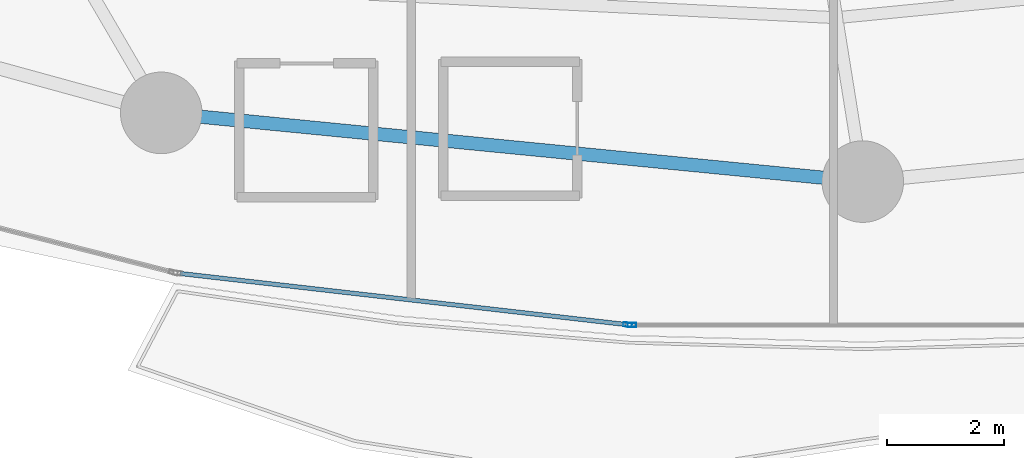
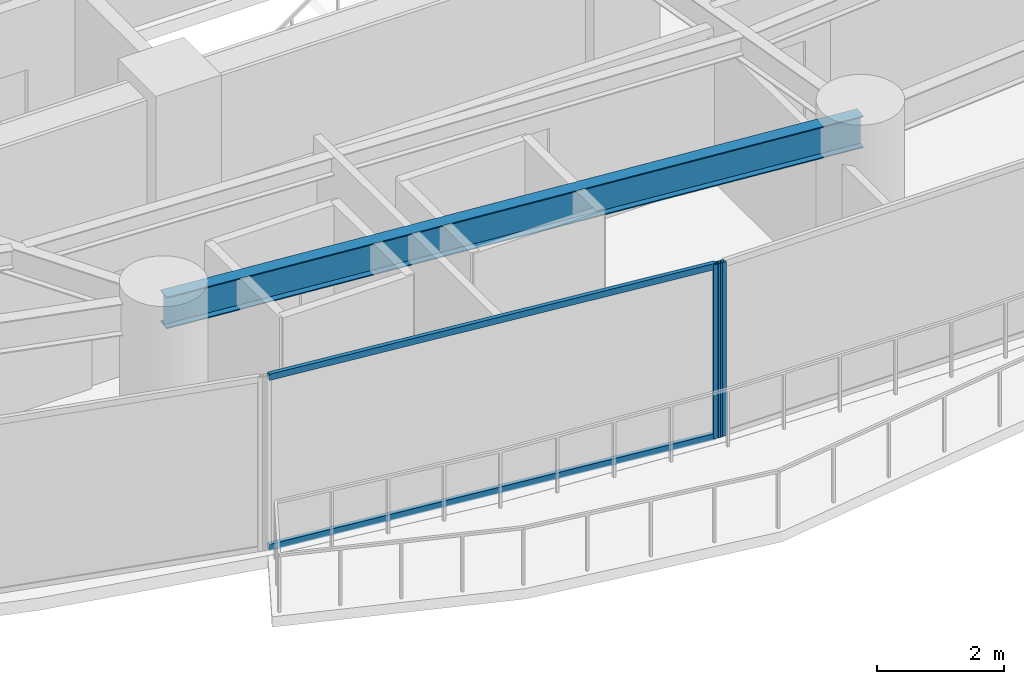
# One storey, part 6 of 32: 4 members, 1 beam, 2 elements without a shape of their own.
"""IFC4 building model written with IfcOpenShell, lengths in metres."""

from ifc_helpers import new_model, si_unit, direction, frame, origin, origin_2d, place, context, subcontext, project, spatial, hollow_rectangle, i_section, extrude, material, layer, layer_set, material_profile, profile_set, type_object, element, aggregate, save


model = new_model("IFC4")

# Units and contexts
model_context = context("Model", 3, precision=1e-05, world=origin(), true_north=direction((0.0, 1.0)))
body_context = subcontext(model_context, "Body", "Model", "MODEL_VIEW")
ifc_project = project(units=[si_unit("LENGTHUNIT", "METRE"), si_unit("AREAUNIT", "SQUARE_METRE"), si_unit("VOLUMEUNIT", "CUBIC_METRE"), si_unit("PLANEANGLEUNIT", "RADIAN"), si_unit("MASSUNIT", "GRAM", prefix="KILO")], contexts=[model_context])

# Site, building, storey
site_placement = place(None, origin())
site = spatial("IfcSite", under=ifc_project, at=site_placement, CompositionType="ELEMENT")
building_placement = place(site_placement, origin())
building = spatial("IfcBuilding", under=site, at=building_placement, Name="Kazevale Care Tower and Concert Hall", CompositionType="ELEMENT")
storey_placement = place(building_placement, frame((0.0, 0.0, 42.0)))
storey = spatial("IfcBuildingStorey", under=building, at=storey_placement, Name="L10", CompositionType="ELEMENT", Elevation=42.0)

# Curtain wall, member
ifc_material_1 = material(Name="Aluminium 6063-T6 and Low-E Glass", Category="aluminium")
ifc_layer = layer(ifc_material_1, 0.179931640625)
ifc_layer_set = layer_set([ifc_layer], Name="Aluminium 6063-T6 and Low-E Glass")
curtain_wall_type = type_object("IfcCurtainWallType", Name="Sheltered Concave Balcony Curtain Wall CW-5", PredefinedType="NOTDEFINED", material=ifc_layer_set)
curtain_wall_1_placement = place(storey_placement, origin())
curtain_wall_1 = element("IfcCurtainWall", 1, at=curtain_wall_1_placement, inside=storey, type_object=curtain_wall_type, Name="cw:L10:f06", PredefinedType="NOTDEFINED")
ifc_material_2 = material(Name="Aluminium 6063-T6", Category="aluminium")
ifc_material_profile_1 = material_profile(ifc_material_2, hollow_rectangle(XDim=0.074951171875, YDim=0.14990234375, WallThickness=0.00390625, at=origin_2d()), Name="ALU75x150x4")
ifc_profile_set_1 = profile_set([ifc_material_profile_1], Name="Aluminium 6063-T6")
member_type_1 = type_object("IfcMemberType", Name="CW-5 Mullion ALU75x150x4", PredefinedType="MULLION", material=ifc_profile_set_1)
member_1_placement = place(storey_placement, frame((41.03955078125, 14.889892578125, 0.0), z_axis=(0.0, 0.0, 1.0), x_axis=(0.0, -1.0, 0.0)))
member_1 = element("IfcMember", 2, at=member_1_placement, type_object=member_type_1, Name="CW-5 mullion 2", PredefinedType="MULLION", context=body_context, shape_type="SweptSolid", body=[
    extrude(hollow_rectangle(XDim=0.074951171875, YDim=0.14990234375, WallThickness=0.00390625, at=origin_2d()), origin(), (0.0, 0.0, 1.0), 3.360107421875),
])
aggregate(curtain_wall_1, [member_1])

# Curtain wall, members
curtain_wall_2_placement = place(storey_placement, origin())
curtain_wall_2 = element("IfcCurtainWall", 3, at=curtain_wall_2_placement, inside=storey, type_object=curtain_wall_type, Name="cw:L10:f07", PredefinedType="NOTDEFINED")
member_2_placement = place(storey_placement, frame((40.96484375, 14.894287109375, 0.0), z_axis=(0.0, 0.0, 1.0), x_axis=(-0.113704773808, -0.993514581883, 0.0)))
member_2 = element("IfcMember", 4, at=member_2_placement, type_object=member_type_1, Name="CW-5 mullion 1", PredefinedType="MULLION", context=body_context, shape_type="SweptSolid", body=[
    extrude(hollow_rectangle(XDim=0.074951171875, YDim=0.14990234375, WallThickness=0.00390625, at=origin_2d()), origin(), (0.0, 0.0, 1.0), 3.360107421875),
])
ifc_material_profile_2 = material_profile(ifc_material_2, hollow_rectangle(XDim=0.074951171875, YDim=0.1201171875, WallThickness=0.00390625, at=origin_2d()), Name="ALU75x120x4")
ifc_profile_set_2 = profile_set([ifc_material_profile_2], Name="Aluminium 6063-T6")
member_type_2 = type_object("IfcMemberType", Name="CW-5 Transom ALU75x120x4", PredefinedType="USERDEFINED", material=ifc_profile_set_2)
member_3_placement = place(storey_placement, frame((40.927490234375, 14.8984375, 0.03759765625), z_axis=(-0.993513842403, 0.113711234948, 0.0), x_axis=(-0.113711234948, -0.993513842403, 0.0)))
member_3 = element("IfcMember", 5, at=member_3_placement, type_object=member_type_2, Name="CW-5 transom 1.1", ObjectType="TRANSOM", PredefinedType="USERDEFINED", context=body_context, shape_type="SweptSolid", body=[
    extrude(hollow_rectangle(XDim=0.074951171875, YDim=0.1201171875, WallThickness=0.00390625, at=origin_2d()), origin(), (0.0, 0.0, 1.0), 7.69482421875),
])
member_4_placement = place(storey_placement, frame((40.927490234375, 14.8984375, 3.322509765625), z_axis=(-0.993513842403, 0.113711234948, 0.0), x_axis=(-0.113711234948, -0.993513842403, 0.0)))
member_4 = element("IfcMember", 6, at=member_4_placement, type_object=member_type_2, Name="CW-5 transom 1.2", ObjectType="TRANSOM", PredefinedType="USERDEFINED", context=body_context, shape_type="SweptSolid", body=[
    extrude(hollow_rectangle(XDim=0.074951171875, YDim=0.1201171875, WallThickness=0.00390625, at=origin_2d()), origin(), (0.0, 0.0, 1.0), 7.69482421875),
])
aggregate(curtain_wall_2, [member_2, member_3, member_4])

# Beam
ifc_material_3 = material(Name="Steel ASTM A572 Gr 50", Category="steel")
ifc_material_profile_3 = material_profile(ifc_material_3, i_section(OverallWidth=0.22900390625, OverallDepth=0.612060546875, WebThickness=0.011962890625, FlangeThickness=0.01953125, at=origin_2d()), Name="W610x125")
ifc_profile_set_3 = profile_set([ifc_material_profile_3], Name="Steel ASTM A572 Gr 50")
beam_type = type_object("IfcBeamType", Name="Ring Spandrel Beam W610x125", PredefinedType="SPANDREL", material=ifc_profile_set_3)
beam_placement = place(storey_placement, frame((32.9599609375, 18.530029296875, 3.053955078125), z_axis=(0.995232251602, -0.09753340644, 0.0), x_axis=(0.09753340644, 0.995232251602, 0.0)))
element("IfcBeam", 7, at=beam_placement, inside=storey, type_object=beam_type, Name="beam:L10:ring:12", PredefinedType="SPANDREL", context=body_context, shape_type="SweptSolid", body=[
    extrude(i_section(OverallWidth=0.22900390625, OverallDepth=0.612060546875, WebThickness=0.011962890625, FlangeThickness=0.01953125, at=origin_2d()), origin(), (0.0, 0.0, 1.0), 12.09765625),
])

save(model, "model.ifc")
